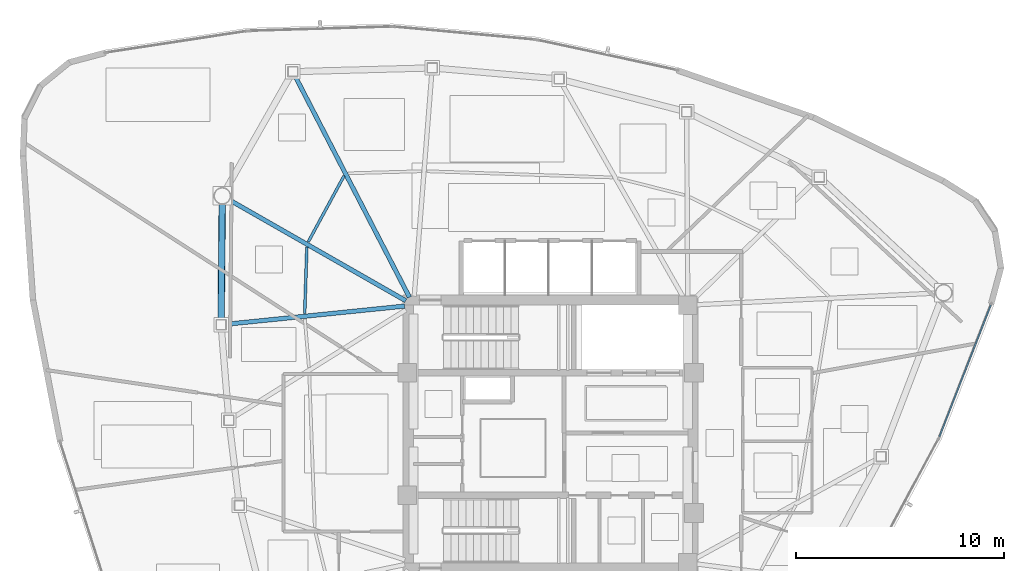
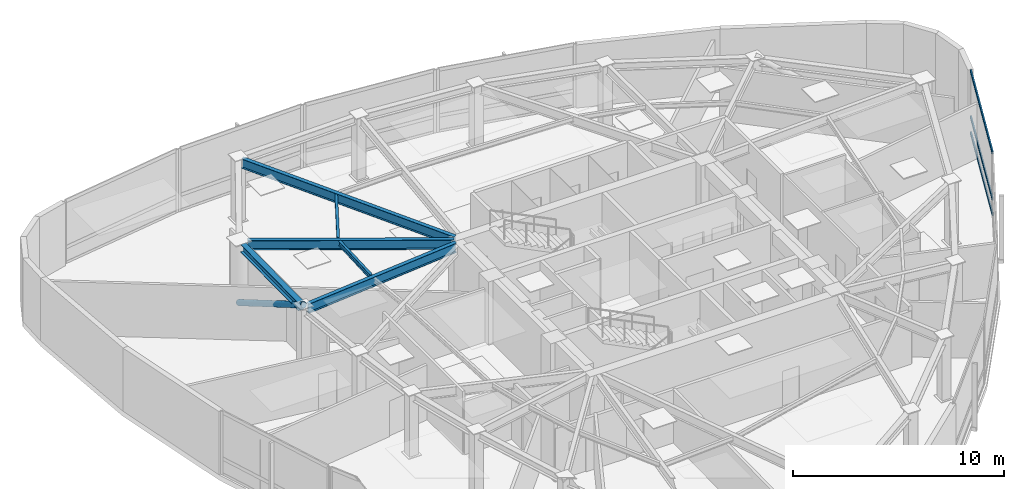
# One storey, part 5 of 14: 6 beams, 4 members, 1 element without a shape of its own.
"""IFC4 building model written with IfcOpenShell, lengths in metres."""

from ifc_helpers import new_model, si_unit, direction, frame, origin, origin_2d, place, context, subcontext, project, spatial, hollow_rectangle, hollow_circle, i_section, extrude, source, transform, mapped, material, layer, layer_set, material_profile, profile_set, type_object, type_shapes, element, aggregate, save


model = new_model("IFC4")

# Units and contexts
model_context = context("Model", 3, precision=1e-05, world=origin(), true_north=direction((0.0, 1.0)))
body_context = subcontext(model_context, "Body", "Model", "MODEL_VIEW")
ifc_project = project(units=[si_unit("LENGTHUNIT", "METRE"), si_unit("AREAUNIT", "SQUARE_METRE"), si_unit("VOLUMEUNIT", "CUBIC_METRE"), si_unit("PLANEANGLEUNIT", "RADIAN"), si_unit("MASSUNIT", "GRAM", prefix="KILO")], contexts=[model_context])

# Site, building, storey
site_placement = place(None, origin())
site = spatial("IfcSite", under=ifc_project, at=site_placement, CompositionType="ELEMENT")
building_placement = place(site_placement, origin())
building = spatial("IfcBuilding", under=site, at=building_placement, Name="Tavelor Broadcast Tower", CompositionType="ELEMENT")
storey_placement = place(building_placement, frame((0.0, 0.0, 257.699951171875)))
storey = spatial("IfcBuildingStorey", under=building, at=storey_placement, Name="L61", CompositionType="ELEMENT", Elevation=257.699951171875)

# Beams
ifc_material_1 = material(Name="Steel S355", Category="steel")
ifc_material_profile_1 = material_profile(ifc_material_1, i_section(OverallWidth=0.135009765625, OverallDepth=0.27001953125, WebThickness=0.006591796875, FlangeThickness=0.01025390625, at=origin_2d()), Name="IPE 270")
ifc_profile_set_1 = profile_set([ifc_material_profile_1], Name="Steel S355")
beam_type_1 = type_object("IfcBeamType", Name="Composite Floor Joist T6 IPE 270", PredefinedType="JOIST", material=ifc_profile_set_1)
beam_1_placement = place(storey_placement, frame((38.266357421875, 53.997314453125, 3.51513671875), z_axis=(-0.03266180387, -0.999466460952, 0.0), x_axis=(0.999466460952, -0.03266180387, 0.0)))
element("IfcBeam", 1, at=beam_1_placement, inside=storey, type_object=beam_type_1, Name="L61 Secondary Composite Floor Joist 01", PredefinedType="JOIST", context=body_context, shape_type="SweptSolid", body=[
    extrude(i_section(OverallWidth=0.135009765625, OverallDepth=0.27001953125, WebThickness=0.006591796875, FlangeThickness=0.01025390625, at=origin_2d()), origin(), (0.0, 0.0, 1.0), 3.19921875),
])
beam_2_placement = place(storey_placement, frame((40.057373046875, 57.42529296875, 3.51513671875), z_axis=(-0.476805519493, -0.879008814848, 0.0), x_axis=(0.879008814848, -0.476805519493, 0.0)))
element("IfcBeam", 2, at=beam_2_placement, inside=storey, type_object=beam_type_1, Name="L61 Secondary Composite Floor Joist 18", PredefinedType="JOIST", context=body_context, shape_type="SweptSolid", body=[
    extrude(i_section(OverallWidth=0.135009765625, OverallDepth=0.27001953125, WebThickness=0.006591796875, FlangeThickness=0.01025390625, at=origin_2d()), origin(), (0.0, 0.0, 1.0), 3.61279296875),
])
ifc_material_profile_2 = material_profile(ifc_material_1, i_section(OverallWidth=0.300048828125, OverallDepth=0.449951171875, WebThickness=0.013916015625, FlangeThickness=0.02587890625, at=origin_2d()), Name="HEB 450")
ifc_profile_set_2 = profile_set([ifc_material_profile_2], Name="Steel S355")
beam_type_2 = type_object("IfcBeamType", Name="Perimeter Spandrel Beam T6 HEB 450", PredefinedType="SPANDREL", material=ifc_profile_set_2)
beam_3_placement = place(storey_placement, frame((34.192626953125, 56.069580078125, 3.425048828125), z_axis=(-0.009548403943, -0.999954412952, 0.0), x_axis=(0.999954412952, -0.009548403943, 0.0)))
element("IfcBeam", 3, at=beam_3_placement, inside=storey, type_object=beam_type_2, Name="L61 Framed-Tube Ring Spandrel 01", PredefinedType="SPANDREL", context=body_context, shape_type="SweptSolid", body=[
    extrude(i_section(OverallWidth=0.300048828125, OverallDepth=0.449951171875, WebThickness=0.013916015625, FlangeThickness=0.02587890625, at=origin_2d()), origin(), (0.0, 0.0, 1.0), 5.573974609375),
])

# Member
ifc_material_profile_3 = material_profile(ifc_material_1, hollow_circle(Radius=0.161865234375, WallThickness=0.01611328125, at=origin_2d()), Name="CHS 323.9x16")
ifc_profile_set_3 = profile_set([ifc_material_profile_3], Name="Steel S355")
member_type_1 = type_object("IfcMemberType", Name="Perimeter Tube Brace T6 CHS 323.9x16", PredefinedType="BRACE", material=ifc_profile_set_3)
member_1_placement = place(storey_placement, frame((34.1962890625, 56.4599609375, 0.0), z_axis=(-0.008207584485, -0.861864202231, 0.507072709254), x_axis=(0.999954658748, -0.009522628184, 0.0)))
element("IfcMember", 4, at=member_1_placement, inside=storey, type_object=member_type_1, Name="L61 Corner Tube Diagonal Brace 1", PredefinedType="BRACE", context=body_context, shape_type="SweptSolid", body=[
    extrude(hollow_circle(Radius=0.161865234375, WallThickness=0.01611328125, at=origin_2d()), origin(), (0.0, 0.0, 1.0), 7.198486328125),
])

# Beams
ifc_material_profile_4 = material_profile(ifc_material_1, i_section(OverallWidth=0.2099609375, OverallDepth=0.550048828125, WebThickness=0.010986328125, FlangeThickness=0.01708984375, at=origin_2d()), Name="IPE 550")
ifc_profile_set_4 = profile_set([ifc_material_profile_4], Name="Steel S355")
beam_type_3 = type_object("IfcBeamType", Name="Radial Floor Girder T6 IPE 550", PredefinedType="BEAM", material=ifc_profile_set_4)
beam_4_placement = place(storey_placement, frame((43.02490234375, 51.414306640625, 3.375), z_axis=(-0.868209338365, 0.496198090259, 0.0), x_axis=(-0.496198090259, -0.868209338365, 0.0)))
element("IfcBeam", 5, at=beam_4_placement, inside=storey, type_object=beam_type_3, Name="L61 Radial Primary Floor Girder 01", PredefinedType="BEAM", context=body_context, shape_type="SweptSolid", body=[
    extrude(i_section(OverallWidth=0.2099609375, OverallDepth=0.550048828125, WebThickness=0.010986328125, FlangeThickness=0.01708984375, at=origin_2d()), origin(), (0.0, 0.0, 1.0), 9.778564453125),
])
beam_5_placement = place(storey_placement, frame((42.97021484375, 51.15625, 3.375), z_axis=(-0.994845668858, -0.101400666436, 0.0), x_axis=(0.101400666436, -0.994845668858, 0.0)))
element("IfcBeam", 6, at=beam_5_placement, inside=storey, type_object=beam_type_3, Name="L61 Radial Primary Floor Girder 02", PredefinedType="BEAM", context=body_context, shape_type="SweptSolid", body=[
    extrude(i_section(OverallWidth=0.2099609375, OverallDepth=0.550048828125, WebThickness=0.010986328125, FlangeThickness=0.01708984375, at=origin_2d()), origin(), (0.0, 0.0, 1.0), 8.638671875),
])
beam_6_placement = place(storey_placement, frame((43.20166015625, 51.583740234375, 3.375), z_axis=(-0.459156775605, 0.888355252934, 0.0), x_axis=(-0.888355252934, -0.459156775605, 0.0)))
element("IfcBeam", 7, at=beam_6_placement, inside=storey, type_object=beam_type_3, Name="L61 Radial Primary Floor Girder 18", PredefinedType="BEAM", context=body_context, shape_type="SweptSolid", body=[
    extrude(i_section(OverallWidth=0.2099609375, OverallDepth=0.550048828125, WebThickness=0.010986328125, FlangeThickness=0.01708984375, at=origin_2d()), origin(), (0.0, 0.0, 1.0), 11.9794921875),
])

# Curtain wall, members
ifc_material_2 = material(Name="Architectural Anodized Aluminium", Category="aluminium")
ifc_layer = layer(ifc_material_2, 0.199951171875)
ifc_layer_set = layer_set([ifc_layer], Name="Architectural Anodized Aluminium")
curtain_wall_type = type_object("IfcCurtainWallType", Name="Tower High-Zone Triple-Glazed Curtain Wall CW04", PredefinedType="NOTDEFINED", material=ifc_layer_set)
curtain_wall_placement = place(storey_placement, origin())
curtain_wall = element("IfcCurtainWall", 8, at=curtain_wall_placement, inside=storey, type_object=curtain_wall_type, Name="L61 Curtain Wall CW04 Run 668", PredefinedType="NOTDEFINED")
ifc_material_profile_5 = material_profile(ifc_material_2, hollow_rectangle(XDim=0.070068359375, YDim=0.199951171875, WallThickness=0.02197265625, at=origin_2d()), Name="RHS 70x200x22")
ifc_profile_set_5 = profile_set([ifc_material_profile_5], Name="Architectural Anodized Aluminium")
member_type_2 = type_object("IfcMemberType", Name="CW04 Extruded Aluminium Transom 70x200", PredefinedType="USERDEFINED", material=ifc_profile_set_5)
shared_shape = source(origin(), body_context, "Body", "SweptSolid", [
    extrude(hollow_rectangle(XDim=0.070068359375, YDim=0.199951171875, WallThickness=0.02197265625, at=origin_2d()), origin(), (0.0, 0.0, 1.0), 6.795166015625),
])
type_shapes(member_type_2, [shared_shape])
member_2_placement = place(storey_placement, frame((68.713623046875, 44.873046875, 0.03515625), z_axis=(0.36362841851, 0.931544080144, 0.0), x_axis=(-0.931544080144, 0.36362841851, 0.0)))
member_2 = element("IfcMember", 9, at=member_2_placement, type_object=member_type_2, Name="CW04 transom 1.1", ObjectType="TRANSOM", PredefinedType="USERDEFINED", context=body_context, shape_type="MappedRepresentation", body=[
    mapped(shared_shape, transform((0.0, 0.0, 0.0), scale=1.0)),
])
member_3_placement = place(storey_placement, frame((68.713623046875, 44.873046875, 0.949951171875), z_axis=(0.36362841851, 0.931544080144, 0.0), x_axis=(-0.931544080144, 0.36362841851, 0.0)))
member_3 = element("IfcMember", 10, at=member_3_placement, type_object=member_type_2, Name="CW04 transom 1.2", ObjectType="TRANSOM", PredefinedType="USERDEFINED", context=body_context, shape_type="MappedRepresentation", body=[
    mapped(shared_shape, transform((0.0, 0.0, 0.0), scale=1.0)),
])
member_4_placement = place(storey_placement, frame((68.713623046875, 44.873046875, 3.614990234375), z_axis=(0.36362841851, 0.931544080144, 0.0), x_axis=(-0.931544080144, 0.36362841851, 0.0)))
member_4 = element("IfcMember", 11, at=member_4_placement, type_object=member_type_2, Name="CW04 transom 1.3", ObjectType="TRANSOM", PredefinedType="USERDEFINED", context=body_context, shape_type="MappedRepresentation", body=[
    mapped(shared_shape, transform((0.0, 0.0, 0.0), scale=1.0)),
])
aggregate(curtain_wall, [member_2, member_3, member_4])

save(model, "model.ifc")
